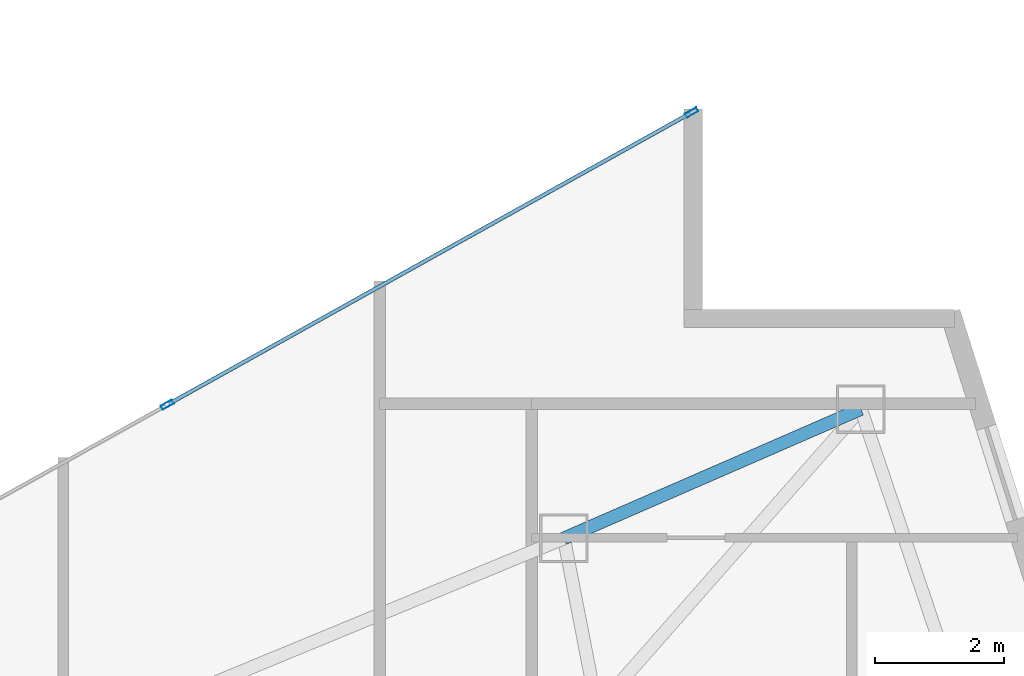
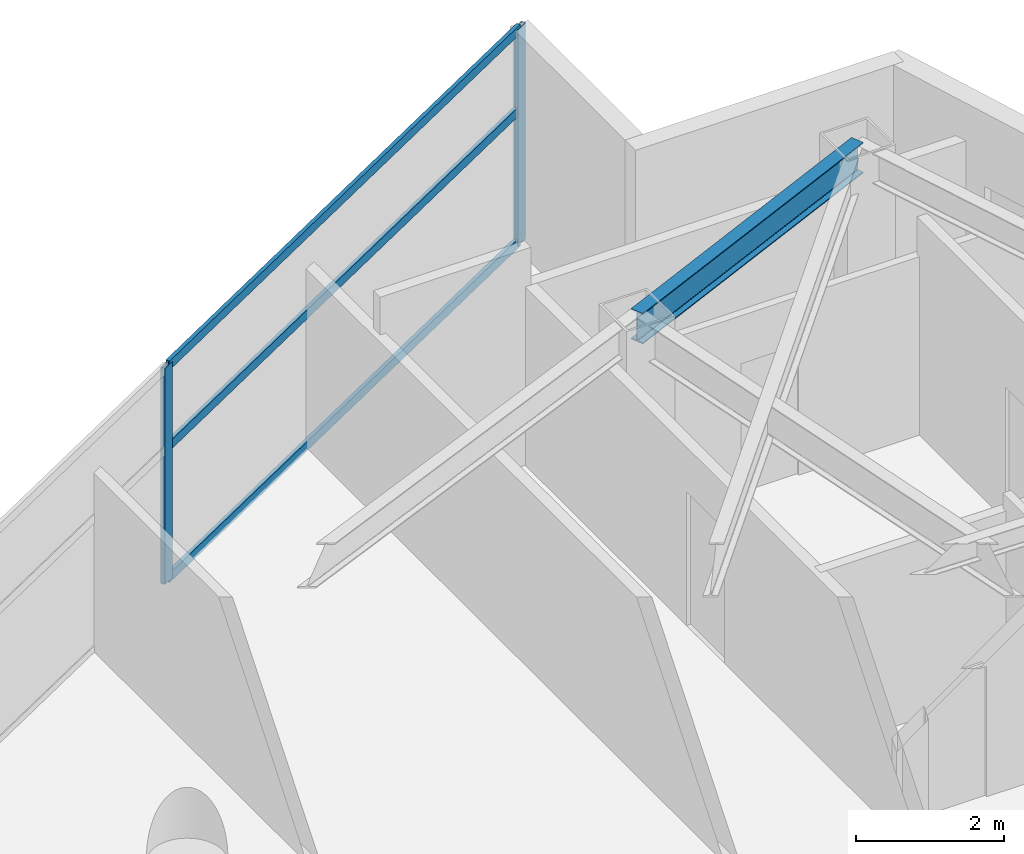
# One storey, part 20 of 29: 5 members, 1 beam, 1 element without a shape of its own.
"""IFC4 building model written with IfcOpenShell, lengths in metres."""

from ifc_helpers import new_model, si_unit, direction, frame, origin, origin_2d, place, context, subcontext, project, spatial, hollow_rectangle, i_section, extrude, material, layer, layer_set, material_profile, profile_set, type_object, element, aggregate, save


model = new_model("IFC4")

# Units and contexts
model_context = context("Model", 3, precision=1e-05, world=origin(), true_north=direction((0.0, 1.0)))
body_context = subcontext(model_context, "Body", "Model", "MODEL_VIEW")
ifc_project = project(units=[si_unit("LENGTHUNIT", "METRE"), si_unit("AREAUNIT", "SQUARE_METRE"), si_unit("VOLUMEUNIT", "CUBIC_METRE"), si_unit("PLANEANGLEUNIT", "RADIAN"), si_unit("MASSUNIT", "GRAM", prefix="KILO")], contexts=[model_context])

# Site, building, storey
site_placement = place(None, origin())
site = spatial("IfcSite", under=ifc_project, at=site_placement, CompositionType="ELEMENT")
building_placement = place(site_placement, origin())
building = spatial("IfcBuilding", under=site, at=building_placement, Name="Calvorn Quay Hotel", CompositionType="ELEMENT")
storey_placement = place(building_placement, frame((0.0, 0.0, 148.5)))
storey = spatial("IfcBuildingStorey", under=building, at=storey_placement, Name="L36", CompositionType="ELEMENT", Elevation=148.5)

# Beam
ifc_material_1 = material(Name="Steel Q355B", Category="steel")
ifc_material_profile_1 = material_profile(ifc_material_1, i_section(OverallWidth=0.199951171875, OverallDepth=0.5, WebThickness=0.010009765625, FlangeThickness=0.01611328125, FilletRadius=0.01611328125, at=origin_2d()), Name="HN500x200x10x16")
ifc_profile_set_1 = profile_set([ifc_material_profile_1], Name="Steel Q355B")
beam_type = type_object("IfcBeamType", Name="BM-SPANDREL-Z1", PredefinedType="SPANDREL", material=ifc_profile_set_1)
beam_placement = place(storey_placement, frame((48.591064453125, 33.39990234375, 3.2900390625), z_axis=(-0.916786146489, -0.399378469132, 0.0), x_axis=(0.399378469132, -0.916786146489, 0.0)))
element("IfcBeam", 1, at=beam_placement, inside=storey, type_object=beam_type, Name="Beam BSP-L36-E3", PredefinedType="SPANDREL", context=body_context, shape_type="SweptSolid", body=[
    extrude(i_section(OverallWidth=0.199951171875, OverallDepth=0.5, WebThickness=0.010009765625, FlangeThickness=0.01611328125, FilletRadius=0.01611328125, at=origin_2d()), origin(), (0.0, 0.0, 1.0), 5.0078125),
])

# Curtain wall, members
ifc_material_2 = material(Name="Pale Anodised Aluminium and Low-E Glass", Category="aluminium")
ifc_layer = layer(ifc_material_2, 0.219970703125)
ifc_layer_set = layer_set([ifc_layer], Name="CW-SYS-Z2")
curtain_wall_type = type_object("IfcCurtainWallType", Name="CW-SYS-Z2", PredefinedType="NOTDEFINED", material=ifc_layer_set)
curtain_wall_placement = place(storey_placement, origin())
curtain_wall = element("IfcCurtainWall", 2, at=curtain_wall_placement, inside=storey, type_object=curtain_wall_type, Name="Inner Court Curtain Wall L36-NE1", PredefinedType="NOTDEFINED")
ifc_material_3 = material(Name="Pale Anodised Aluminium 6063-T6", Category="aluminium")
ifc_material_profile_2 = material_profile(ifc_material_3, hollow_rectangle(XDim=0.070068359375, YDim=0.199951171875, WallThickness=0.00390625, at=origin_2d()), Name="ALU-M200x70x4")
ifc_profile_set_2 = profile_set([ifc_material_profile_2], Name="Pale Anodised Aluminium 6063-T6")
member_type_1 = type_object("IfcMemberType", Name="CW-SYS-Z2-MUL", PredefinedType="MULLION", material=ifc_profile_set_2)
member_1_placement = place(storey_placement, frame((45.973876953125, 37.9853515625, 0.0), z_axis=(0.0, 0.0, 1.0), x_axis=(0.486858256224, -0.873480989116, 0.0)))
member_1 = element("IfcMember", 3, at=member_1_placement, type_object=member_type_1, Name="CW-L36-NE1 mullion 1", PredefinedType="MULLION", context=body_context, shape_type="SweptSolid", body=[
    extrude(hollow_rectangle(XDim=0.070068359375, YDim=0.199951171875, WallThickness=0.00390625, at=origin_2d()), origin(), (0.0, 0.0, 1.0), 3.56005859375),
])
member_2_placement = place(storey_placement, frame((37.86669921875, 33.466552734375, 0.0), z_axis=(0.0, 0.0, 1.0), x_axis=(0.486858256224, -0.873480989116, 0.0)))
member_2 = element("IfcMember", 4, at=member_2_placement, type_object=member_type_1, Name="CW-L36-NE1 mullion 2", PredefinedType="MULLION", context=body_context, shape_type="SweptSolid", body=[
    extrude(hollow_rectangle(XDim=0.070068359375, YDim=0.199951171875, WallThickness=0.00390625, at=origin_2d()), origin(), (0.0, 0.0, 1.0), 3.56005859375),
])
ifc_material_4 = material(Name="Pale Anodised Aluminium 6063-T6", Category="aluminium")
ifc_material_profile_3 = material_profile(ifc_material_4, hollow_rectangle(XDim=0.06005859375, YDim=0.14990234375, WallThickness=0.00341796875, at=origin_2d()), Name="ALU-T150x60x3.5")
ifc_profile_set_3 = profile_set([ifc_material_profile_3], Name="Pale Anodised Aluminium 6063-T6")
member_type_2 = type_object("IfcMemberType", Name="CW-SYS-Z2-TRN", PredefinedType="USERDEFINED", material=ifc_profile_set_3)
member_3_placement = place(storey_placement, frame((45.947509765625, 37.970703125, 0.030029296875), z_axis=(-0.87348080454, -0.486858587375, 0.0), x_axis=(0.486858587375, -0.87348080454, 0.0)))
member_3 = element("IfcMember", 5, at=member_3_placement, type_object=member_type_2, Name="CW-L36-NE1 transom 1.1", ObjectType="TRANSOM", PredefinedType="USERDEFINED", context=body_context, shape_type="SweptSolid", body=[
    extrude(hollow_rectangle(XDim=0.06005859375, YDim=0.14990234375, WallThickness=0.00341796875, at=origin_2d()), origin(), (0.0, 0.0, 1.0), 9.221435546875),
])
member_4_placement = place(storey_placement, frame((45.947509765625, 37.970703125, 2.199951171875), z_axis=(-0.87348080454, -0.486858587375, 0.0), x_axis=(0.486858587375, -0.87348080454, 0.0)))
member_4 = element("IfcMember", 6, at=member_4_placement, type_object=member_type_2, Name="CW-L36-NE1 transom 1.2", ObjectType="TRANSOM", PredefinedType="USERDEFINED", context=body_context, shape_type="SweptSolid", body=[
    extrude(hollow_rectangle(XDim=0.06005859375, YDim=0.14990234375, WallThickness=0.00341796875, at=origin_2d()), origin(), (0.0, 0.0, 1.0), 9.221435546875),
])
member_5_placement = place(storey_placement, frame((45.947509765625, 37.970703125, 3.530029296875), z_axis=(-0.87348080454, -0.486858587375, 0.0), x_axis=(0.486858587375, -0.87348080454, 0.0)))
member_5 = element("IfcMember", 7, at=member_5_placement, type_object=member_type_2, Name="CW-L36-NE1 transom 1.3", ObjectType="TRANSOM", PredefinedType="USERDEFINED", context=body_context, shape_type="SweptSolid", body=[
    extrude(hollow_rectangle(XDim=0.06005859375, YDim=0.14990234375, WallThickness=0.00341796875, at=origin_2d()), origin(), (0.0, 0.0, 1.0), 9.221435546875),
])
aggregate(curtain_wall, [member_1, member_2, member_3, member_4, member_5])

save(model, "model.ifc")
